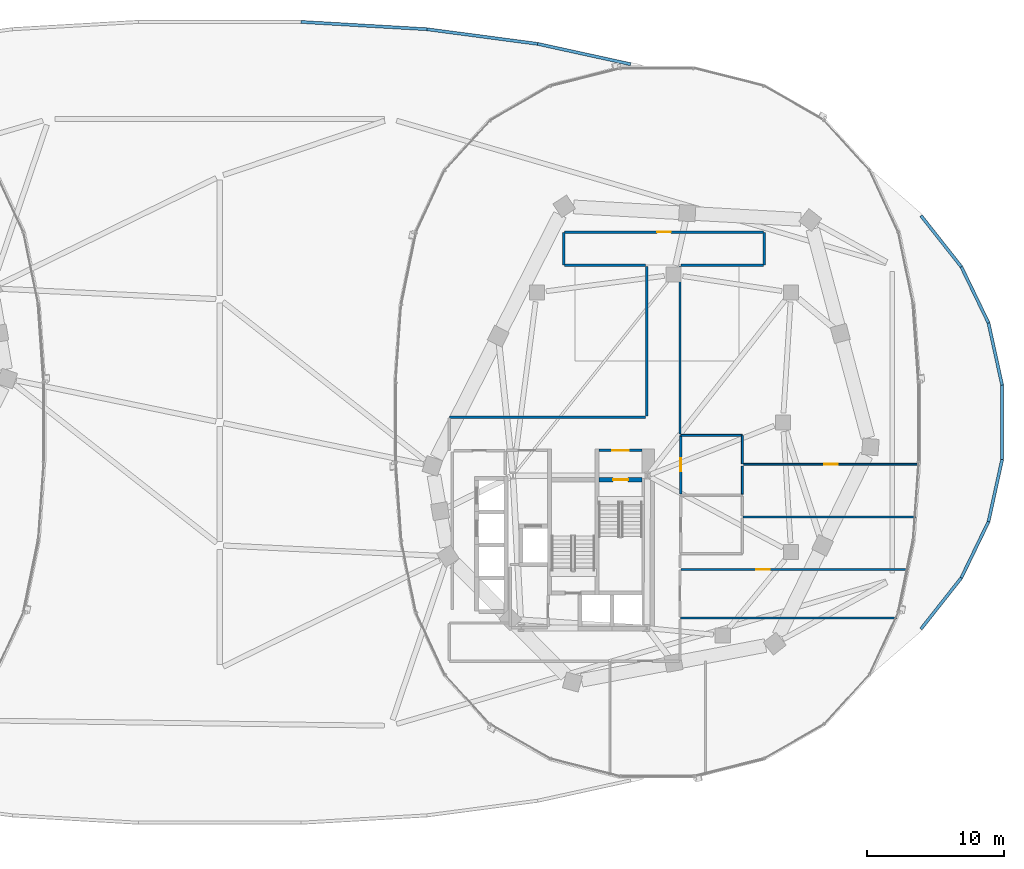
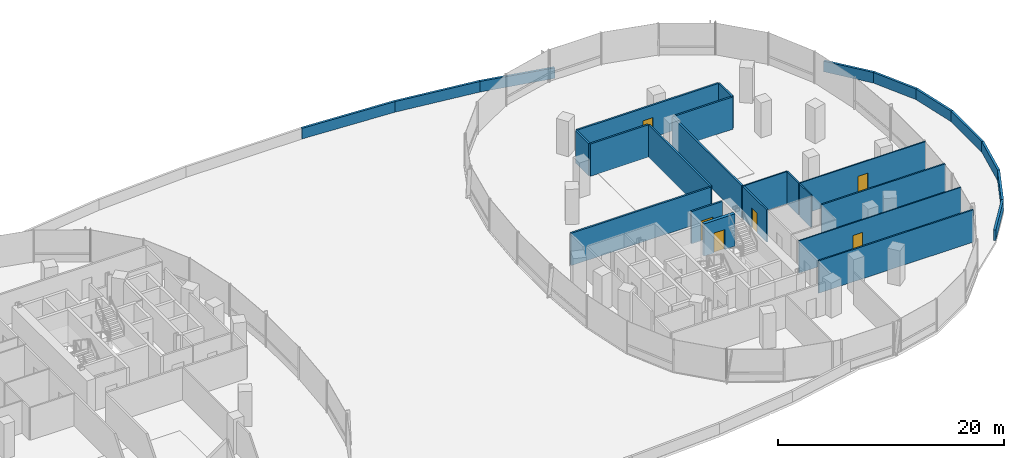
# One storey, part 21 of 28: 28 walls, 6 doors, 6 openings.
"""IFC4 building model written with IfcOpenShell, lengths in metres."""

import ifcopenshell
import ifcopenshell.guid

model = None  # the IFC model being written
_history = None  # IfcOwnerHistory: only IFC2X3 demands one
_inside = {}  # id of a spatial element -> (the spatial element, [elements in it])
_under = {}  # id of a project, library or spatial element -> (it, [spatial elements below it])
_declared = {}  # id of a project -> (the project, [libraries it declares])
_typed = {}  # id of a type object -> (the type object, [elements of that type])
_made_of = {}  # id of a material, layer set ... -> (it, [elements and type objects made of it])


def new_model(schema):
    """Start an empty IFC model of exactly this schema.

    Asked for "IFC4X3", IfcOpenShell would pick the latest addendum, in which some entities
    have other attributes; the version numbers below select the first issue.
    IFC2X3 requires an IfcOwnerHistory on every rooted entity: one is made here for all.
    """
    global model, _history
    if schema == "IFC4X3":
        model = ifcopenshell.file(schema_version=(4, 3, 0, 0))
    else:
        model = ifcopenshell.file(schema=schema)
    _inside.clear()
    _under.clear()
    _declared.clear()
    _typed.clear()
    _made_of.clear()
    _history = None
    if model.schema == "IFC2X3":
        org = make("IfcOrganization", Name="unknown")
        user = make(
            "IfcPersonAndOrganization",
            ThePerson=make("IfcPerson", FamilyName="unknown"),
            TheOrganization=org,
        )
        app = make(
            "IfcApplication",
            ApplicationDeveloper=org,
            Version="unknown",
            ApplicationFullName="unknown",
            ApplicationIdentifier="unknown",
        )
        _history = make(
            "IfcOwnerHistory",
            OwningUser=user,
            OwningApplication=app,
            ChangeAction="ADDED",
            CreationDate=0,
        )
    return model


def make(cls, **values):
    """One entity of the class cls with the attributes given. An attribute that is None is left unset."""
    return model.create_entity(
        cls, **{name: value for name, value in values.items() if value is not None}
    )


def rooted(cls, **values):
    """An entity with a GlobalId (a new one), such as an element, a storey or a relation."""
    return make(cls, GlobalId=ifcopenshell.guid.new(), OwnerHistory=_history, **values)


def si_unit(unit_type, name, prefix=None):
    """IfcSIUnit, for example si_unit("LENGTHUNIT", "METRE", prefix="MILLI")."""
    return make("IfcSIUnit", UnitType=unit_type, Prefix=prefix, Name=name)


def assignment(units):
    """IfcUnitAssignment: the units of a project."""
    return None if units is None else make("IfcUnitAssignment", Units=units)


def point(xyz):
    """IfcCartesianPoint."""
    return None if xyz is None else make("IfcCartesianPoint", Coordinates=xyz)


def direction(xyz):
    """IfcDirection."""
    return None if xyz is None else make("IfcDirection", DirectionRatios=xyz)


def frame(location, z_axis=None, x_axis=None):
    """IfcAxis2Placement3D, a coordinate frame: its origin and axes. An axis left out is left unset."""
    return make(
        "IfcAxis2Placement3D",
        Location=point(location),
        Axis=direction(z_axis),
        RefDirection=direction(x_axis),
    )


def frame_2d(location, x_axis=None):
    """IfcAxis2Placement2D, a coordinate frame in the plane: its origin and x axis."""
    return make(
        "IfcAxis2Placement2D", Location=point(location), RefDirection=direction(x_axis)
    )


def origin():
    """The frame at (0, 0, 0) with its axes left unset."""
    return frame((0.0, 0.0, 0.0))


def place(relative_to, where):
    """IfcLocalPlacement: puts the frame where relative to a parent placement (None: the world)."""
    return make(
        "IfcLocalPlacement", PlacementRelTo=relative_to, RelativePlacement=where
    )


def context(
    kind, dimensions, precision=None, world=None, true_north=None, identifier=None
):
    """IfcGeometricRepresentationContext, for example the 3D "Model" context."""
    return make(
        "IfcGeometricRepresentationContext",
        ContextIdentifier=identifier,
        ContextType=kind,
        CoordinateSpaceDimension=dimensions,
        Precision=precision,
        WorldCoordinateSystem=world,
        TrueNorth=true_north,
    )


def subcontext(parent, identifier, kind, view, scale=None):
    """IfcGeometricRepresentationSubContext, for example "Body" below "Model"."""
    return make(
        "IfcGeometricRepresentationSubContext",
        ContextIdentifier=identifier,
        ContextType=kind,
        ParentContext=parent,
        TargetScale=scale,
        TargetView=view,
    )


def project(units=None, contexts=None):
    """IfcProject with its units and contexts."""
    return rooted(
        "IfcProject",
        Name="project",
        RepresentationContexts=contexts,
        UnitsInContext=assignment(units),
    )


def spatial(cls, under=None, at=None, **own):
    """A site, building, storey or space (cls), placed at a placement, below another one or the project."""
    s = rooted(cls, ObjectPlacement=at, **own)
    if under is not None:
        _under.setdefault(under.id(), (under, []))[1].append(s)
    return s


def profile(cls, at=None, kind="AREA", **sizes):
    """A parametric profile (cls). Its sizes go by their IFC names, for example OverallWidth=200.0."""
    return make(cls, ProfileType=kind, Position=at, **sizes)


def rectangle(**sizes):
    """IfcRectangleProfileDef."""
    return profile("IfcRectangleProfileDef", **sizes)


def extrude(swept, where, along, depth):
    """IfcExtrudedAreaSolid: the profile swept, set in the frame where, extruded along a direction by depth."""
    return make(
        "IfcExtrudedAreaSolid",
        SweptArea=swept,
        Position=where,
        ExtrudedDirection=direction(along),
        Depth=depth,
    )


def shape(context_of_items, identifier, shape_type, items):
    """IfcShapeRepresentation: the items that make up one representation, for example the "Body"."""
    return make(
        "IfcShapeRepresentation",
        ContextOfItems=context_of_items,
        RepresentationIdentifier=identifier,
        RepresentationType=shape_type,
        Items=items,
    )


def material(Name=None, Category=None):
    """IfcMaterial."""
    return make("IfcMaterial", Name=Name, Category=Category)


def layer(
    of_material, thickness, ventilated=None, Name=None, Category=None, Priority=None
):
    """IfcMaterialLayer: one layer of a wall or slab, of a material (None: an air gap)."""
    return make(
        "IfcMaterialLayer",
        Material=of_material,
        LayerThickness=thickness,
        IsVentilated=ventilated,
        Name=Name,
        Category=Category,
        Priority=Priority,
    )


def layer_set(layers, Name=None):
    """IfcMaterialLayerSet."""
    return make("IfcMaterialLayerSet", MaterialLayers=layers, LayerSetName=Name)


def made_of(thing, what):
    """Note that an element or type object is made of a material, layer set ...; save() writes the relation."""
    if what is not None:
        _made_of.setdefault(what.id(), (what, []))[1].append(thing)
    return thing


def type_object(cls, material=None, **own):
    """A type object (cls), such as IfcWallType, which elements share."""
    return made_of(rooted(cls, **own), material)


def element(
    cls,
    number,
    at=None,
    inside=None,
    cuts=None,
    type_object=None,
    material=None,
    context=None,
    identifier="Body",
    shape_type=None,
    held_by="IfcProductDefinitionShape",
    body=None,
    shapes=None,
    **own,
):
    """One element of the class cls, such as IfcWall. Its Tag is "e" and its number.

    at: its placement. inside: the storey or other place that contains it. cuts: it is an
    opening in that element (IfcRelVoidsElement). A single representation is given by context,
    identifier, shape_type and body (its items); several are given by shapes. held_by: the class
    of the entity that holds the representations. save() writes the other relations.
    """
    e = rooted(cls, Tag="e%d" % number, ObjectPlacement=at, **own)
    if body is not None:
        shapes = [shape(context, identifier, shape_type, body)]
    if shapes is not None:
        e.Representation = make(held_by, Representations=shapes)
    if inside is not None:
        _inside.setdefault(inside.id(), (inside, []))[1].append(e)
    if cuts is not None:
        rooted(
            "IfcRelVoidsElement", RelatingBuildingElement=cuts, RelatedOpeningElement=e
        )
    if type_object is not None:
        _typed.setdefault(type_object.id(), (type_object, []))[1].append(e)
    return made_of(e, material)


def fill(opening, filler):
    """IfcRelFillsElement: the door or window that sits in an opening."""
    return rooted(
        "IfcRelFillsElement",
        RelatingOpeningElement=opening,
        RelatedBuildingElement=filler,
    )


def aggregate(whole, parts):
    """IfcRelAggregates: a whole, such as a stair, and the parts it consists of."""
    return rooted("IfcRelAggregates", RelatingObject=whole, RelatedObjects=parts)


def save(model, path):
    """Write the relations noted so far, then the file.

    IfcRelAggregates (storeys below a building ...), IfcRelContainedInSpatialStructure (elements
    in a storey), IfcRelDefinesByType, IfcRelAssociatesMaterial and IfcRelDeclares: one each for
    every whole, place, type object, material and project.
    """
    for whole, parts in _under.values():
        aggregate(whole, parts)
    for where, things in _inside.values():
        rooted(
            "IfcRelContainedInSpatialStructure",
            RelatedElements=things,
            RelatingStructure=where,
        )
    for kind, things in _typed.values():
        rooted("IfcRelDefinesByType", RelatedObjects=things, RelatingType=kind)
    for what, things in _made_of.values():
        rooted("IfcRelAssociatesMaterial", RelatedObjects=things, RelatingMaterial=what)
    for by, libraries in _declared.values():
        rooted("IfcRelDeclares", RelatingContext=by, RelatedDefinitions=libraries)
    model.write(path)


model = new_model("IFC4")

# Units and contexts
model_context = context("Model", 3, precision=1e-05, world=origin(), true_north=direction((0.0, 1.0)))
body_context = subcontext(model_context, "Body", "Model", "MODEL_VIEW")
ifc_project = project(units=[si_unit("LENGTHUNIT", "METRE"), si_unit("AREAUNIT", "SQUARE_METRE"), si_unit("VOLUMEUNIT", "CUBIC_METRE"), si_unit("PLANEANGLEUNIT", "RADIAN"), si_unit("MASSUNIT", "GRAM", prefix="KILO"), si_unit("THERMODYNAMICTEMPERATUREUNIT", "KELVIN"), si_unit("POWERUNIT", "WATT")], contexts=[model_context])

# Site, building, storey
site_placement = place(None, origin())
site = spatial("IfcSite", under=ifc_project, at=site_placement, CompositionType="ELEMENT")
building_placement = place(site_placement, origin())
building = spatial("IfcBuilding", under=site, at=building_placement, Name="Cundina Bronze Exchange", CompositionType="ELEMENT")
storey_placement = place(building_placement, frame((0.0, 0.0, 24.0)))
storey = spatial("IfcBuildingStorey", under=building, at=storey_placement, Name="L05", CompositionType="ELEMENT", Elevation=24.0)

# Wall, opening, door
ifc_material_1 = material(Name="Gypsum Fireboard Partition EI120")
ifc_layer_1 = layer(ifc_material_1, 0.179931640625, Name="Gypsum Fireboard Partition EI120")
ifc_layer_set_1 = layer_set([ifc_layer_1], Name="Gypsum Fireboard Partition EI120")
wall_type_1 = type_object("IfcWallType", Name="WL-COR-180", PredefinedType="PARTITIONING", material=ifc_layer_set_1)
wall_1_placement = place(storey_placement, frame((27.739990234375, -2.06005859375, 0.0), z_axis=(0.0, 0.0, 1.0), x_axis=(1.0, 0.0, 0.0)))
wall_1 = element("IfcWall", 1, at=wall_1_placement, inside=storey, type_object=wall_type_1, Name="L05 E Stair Vestibule Exit Wall", PredefinedType="PARTITIONING", context=body_context, shape_type="SweptSolid", body=[
    extrude(rectangle(XDim=3.159912109375, YDim=0.179931640625, at=frame_2d((1.580078125, 0.0))), origin(), (0.0, 0.0, 1.0), 3.5),
])
opening_1_placement = place(wall_1_placement, frame((0.97998046875, 0.0, 0.0)))
opening_1 = element("IfcOpeningElement", 2, at=opening_1_placement, cuts=wall_1, Name="Opening DF-01", PredefinedType="OPENING", context=body_context, shape_type="SweptSolid", body=[
    extrude(rectangle(XDim=1.199951171875, YDim=2.14990234375, at=frame_2d((0.60009765625, 1.074951171875))), frame((0.0, 0.099853515625, 0.0), z_axis=(0.0, -1.0, 0.0), x_axis=(1.0, 0.0, 0.0)), (0.0, 0.0, 1.0), 0.199951171875),
])
ifc_material_2 = material(Name="Steel ASTM A36 Painted", Category="steel")
door_type_1 = type_object("IfcDoorType", Name="DR-FFL-1200", OperationType="NOTDEFINED", PredefinedType="DOOR", material=ifc_material_2)
door_1_placement = place(opening_1_placement, origin())
door_1 = element("IfcDoor", 3, at=door_1_placement, inside=storey, type_object=door_type_1, Name="L05 E Stair Vestibule Door", OperationType="SINGLE_SWING_RIGHT", OverallHeight=2.14990234375, OverallWidth=1.199951171875, PredefinedType="DOOR", context=body_context, shape_type="SweptSolid", body=[
    extrude(rectangle(XDim=1.199951171875, YDim=2.14990234375, at=frame_2d((0.60009765625, 1.074951171875))), frame((0.0, 0.02490234375, 0.0), z_axis=(0.0, -1.0, 0.0), x_axis=(1.0, 0.0, 0.0)), (0.0, 0.0, 1.0), 0.050048828125),
])
fill(opening_1, door_1)

wall_2_placement = place(storey_placement, frame((33.719970703125, -5.22998046875, 0.0), z_axis=(0.0, 0.0, 1.0), x_axis=(0.0, 1.0, 0.0)))
wall_2 = element("IfcWall", 4, at=wall_2_placement, inside=storey, type_object=wall_type_1, Name="L05 Interior Partition 051", PredefinedType="PARTITIONING", context=body_context, shape_type="SweptSolid", body=[
    extrude(rectangle(XDim=4.260009765625, YDim=0.179931640625, at=frame_2d((2.1298828125, 0.0))), origin(), (0.0, 0.0, 1.0), 3.5),
])
opening_2_placement = place(wall_2_placement, frame((1.655029296875, 0.0, 0.0)))
opening_2 = element("IfcOpeningElement", 5, at=opening_2_placement, cuts=wall_2, Name="Opening DW-01", PredefinedType="OPENING", context=body_context, shape_type="SweptSolid", body=[
    extrude(rectangle(XDim=0.949951171875, YDim=2.10009765625, at=frame_2d((0.47509765625, 1.050048828125))), frame((0.0, 0.099853515625, 0.0), z_axis=(0.0, -1.0, 0.0), x_axis=(1.0, 0.0, 0.0)), (0.0, 0.0, 1.0), 0.199951171875),
])
ifc_material_3 = material(Name="Solid Andean Oak Timber Grade A", Category="wood")
door_type_2 = type_object("IfcDoorType", Name="DR-WC-950", OperationType="NOTDEFINED", PredefinedType="DOOR", material=ifc_material_3)
door_2_placement = place(opening_2_placement, origin())
door_2 = element("IfcDoor", 6, at=door_2_placement, inside=storey, type_object=door_type_2, Name="L05 Interior Door 051", OperationType="SINGLE_SWING_RIGHT", OverallHeight=2.10009765625, OverallWidth=0.949951171875, PredefinedType="DOOR", context=body_context, shape_type="SweptSolid", body=[
    extrude(rectangle(XDim=0.949951171875, YDim=2.10009765625, at=frame_2d((0.47509765625, 1.050048828125))), frame((0.0, 0.02490234375, 0.0), z_axis=(0.0, -1.0, 0.0), x_axis=(1.0, 0.0, 0.0)), (0.0, 0.0, 1.0), 0.050048828125),
])
fill(opening_2, door_2)

wall_3_placement = place(storey_placement, frame((39.778564453125, 13.919921875, 0.0), z_axis=(0.0, 0.0, 1.0), x_axis=(-1.0, 0.0, 0.0)))
wall_3 = element("IfcWall", 7, at=wall_3_placement, inside=storey, type_object=wall_type_1, Name="L05 Interior Partition 061", PredefinedType="PARTITIONING", context=body_context, shape_type="SweptSolid", body=[
    extrude(rectangle(XDim=14.55712890625, YDim=0.179931640625, at=frame_2d((7.278564453125, 0.0))), origin(), (0.0, 0.0, 1.0), 3.5),
])
opening_3_placement = place(wall_3_placement, frame((6.778564453125, 0.0, 0.0)))
opening_3 = element("IfcOpeningElement", 8, at=opening_3_placement, cuts=wall_3, Name="Opening DO-01", PredefinedType="OPENING", context=body_context, shape_type="SweptSolid", body=[
    extrude(rectangle(XDim=1.0, YDim=2.14990234375, at=frame_2d((0.5, 1.074951171875))), frame((0.0, 0.099853515625, 0.0), z_axis=(0.0, -1.0, 0.0), x_axis=(1.0, 0.0, 0.0)), (0.0, 0.0, 1.0), 0.199951171875),
])
door_type_3 = type_object("IfcDoorType", Name="DR-OFF-1000", OperationType="NOTDEFINED", PredefinedType="DOOR", material=ifc_material_3)
door_3_placement = place(opening_3_placement, origin())
door_3 = element("IfcDoor", 9, at=door_3_placement, inside=storey, type_object=door_type_3, Name="L05 Interior Door 061", OperationType="SINGLE_SWING_LEFT", OverallHeight=2.14990234375, OverallWidth=1.0, PredefinedType="DOOR", context=body_context, shape_type="SweptSolid", body=[
    extrude(rectangle(XDim=1.0, YDim=2.14990234375, at=frame_2d((0.5, 1.074951171875))), frame((0.0, 0.02490234375, 0.0), z_axis=(0.0, -1.0, 0.0), x_axis=(1.0, 0.0, 0.0)), (0.0, 0.0, 1.0), 0.050048828125),
])
fill(opening_3, door_3)

# Walls
wall_4_placement = place(storey_placement, frame((31.14990234375, 0.3701171875, 0.0), z_axis=(0.0, 0.0, 1.0), x_axis=(-1.0, 0.0, 0.0)))
element("IfcWall", 10, at=wall_4_placement, inside=storey, type_object=wall_type_1, Name="L05 Interior Partition 062", PredefinedType="PARTITIONING", context=body_context, shape_type="SweptSolid", body=[
    extrude(rectangle(XDim=14.328369140625, YDim=0.179931640625, at=frame_2d((7.1640625, 0.0))), origin(), (0.0, 0.0, 1.0), 3.5),
])
wall_5_placement = place(storey_placement, frame((33.669921875, -0.858642578125, 0.0), z_axis=(0.0, 0.0, 1.0), x_axis=(0.0, 1.0, 0.0)))
element("IfcWall", 11, at=wall_5_placement, inside=storey, type_object=wall_type_1, Name="L05 Interior Partition 063", PredefinedType="PARTITIONING", context=body_context, shape_type="SweptSolid", body=[
    extrude(rectangle(XDim=12.258544921875, YDim=0.179931640625, at=frame_2d((6.12939453125, 0.0))), origin(), (0.0, 0.0, 1.0), 3.5),
])
wall_6_placement = place(storey_placement, frame((31.22998046875, 11.39990234375, 0.0), z_axis=(0.0, 0.0, 1.0), x_axis=(0.0, -1.0, 0.0)))
element("IfcWall", 12, at=wall_6_placement, inside=storey, type_object=wall_type_1, Name="L05 Interior Partition 065", PredefinedType="PARTITIONING", context=body_context, shape_type="SweptSolid", body=[
    extrude(rectangle(XDim=10.949951171875, YDim=0.179931640625, at=frame_2d((5.47509765625, 0.0))), origin(), (0.0, 0.0, 1.0), 3.5),
])
wall_7_placement = place(storey_placement, frame((33.75, 11.47998046875, 0.0), z_axis=(0.0, 0.0, 1.0), x_axis=(1.0, 0.0, 0.0)))
element("IfcWall", 13, at=wall_7_placement, inside=storey, type_object=wall_type_1, Name="L05 Interior Partition 066", PredefinedType="PARTITIONING", context=body_context, shape_type="SweptSolid", body=[
    extrude(rectangle(XDim=6.028564453125, YDim=0.179931640625, at=frame_2d((3.01416015625, 0.0))), origin(), (0.0, 0.0, 1.0), 3.5),
])
wall_8_placement = place(storey_placement, frame((25.221435546875, 11.47998046875, 0.0), z_axis=(0.0, 0.0, 1.0), x_axis=(1.0, 0.0, 0.0)))
element("IfcWall", 14, at=wall_8_placement, inside=storey, type_object=wall_type_1, Name="L05 Interior Partition 067", PredefinedType="PARTITIONING", context=body_context, shape_type="SweptSolid", body=[
    extrude(rectangle(XDim=5.928466796875, YDim=0.179931640625, at=frame_2d((2.96435546875, 0.0))), origin(), (0.0, 0.0, 1.0), 3.5),
])
for number, where, z_axis, x_axis, name in (
    (15, (39.820068359375, 11.521484375, 0.0), (0.0, 0.0, 1.0), (0.0, 1.0, 0.0), "L05 Interior Partition 071"),
    (16, (25.179931640625, 13.87841796875, 0.0), (0.0, 0.0, 1.0), (0.0, -1.0, 0.0), "L05 Interior Partition 072"),
):
    element("IfcWall", number, at=place(storey_placement, frame(where, z_axis=z_axis, x_axis=x_axis)), inside=storey, type_object=wall_type_1, Name=name, PredefinedType="PARTITIONING", context=body_context, shape_type="SweptSolid", body=[
        extrude(rectangle(XDim=2.35693359375, YDim=0.179931640625, at=frame_2d((1.178466796875, 0.0))), origin(), (0.0, 0.0, 1.0), 3.5),
    ])

# Wall, opening, door
ifc_material_4 = material(Name="Gypsum Acoustic Partition EI60")
ifc_layer_2 = layer(ifc_material_4, 0.125, Name="Gypsum Acoustic Partition EI60")
ifc_layer_set_2 = layer_set([ifc_layer_2], Name="Gypsum Acoustic Partition EI60")
wall_type_2 = type_object("IfcWallType", Name="WL-OFF-125", PredefinedType="PARTITIONING", material=ifc_layer_set_2)
wall_9_placement = place(storey_placement, frame((50.3427734375, -10.77001953125, 0.0), z_axis=(0.0, 0.0, 1.0), x_axis=(-1.0, 0.0, 0.0)))
wall_9 = element("IfcWall", 17, at=wall_9_placement, inside=storey, type_object=wall_type_2, Name="L05 Interior Partition 073", PredefinedType="PARTITIONING", context=body_context, shape_type="SweptSolid", body=[
    extrude(rectangle(XDim=16.5927734375, YDim=0.125, at=frame_2d((8.29638671875, 0.0))), origin(), (0.0, 0.0, 1.0), 3.5),
])
opening_4_placement = place(wall_9_placement, frame((10.099365234375, 0.0, 0.0)))
opening_4 = element("IfcOpeningElement", 18, at=opening_4_placement, cuts=wall_9, Name="Opening DO-01", PredefinedType="OPENING", context=body_context, shape_type="SweptSolid", body=[
    extrude(rectangle(XDim=1.0, YDim=2.14990234375, at=frame_2d((0.5, 1.074951171875))), frame((0.0, 0.072509765625, 0.0), z_axis=(0.0, -1.0, 0.0), x_axis=(1.0, 0.0, 0.0)), (0.0, 0.0, 1.0), 0.14501953125),
])
door_4_placement = place(opening_4_placement, origin())
door_4 = element("IfcDoor", 19, at=door_4_placement, inside=storey, type_object=door_type_3, Name="L05 Interior Door 073", OperationType="SINGLE_SWING_RIGHT", OverallHeight=2.14990234375, OverallWidth=1.0, PredefinedType="DOOR", context=body_context, shape_type="SweptSolid", body=[
    extrude(rectangle(XDim=1.0, YDim=2.14990234375, at=frame_2d((0.5, 1.074951171875))), frame((0.0, 0.02490234375, 0.0), z_axis=(0.0, -1.0, 0.0), x_axis=(1.0, 0.0, 0.0)), (0.0, 0.0, 1.0), 0.050048828125),
])
fill(opening_4, door_4)

wall_10_placement = place(storey_placement, frame((38.320068359375, -3.070068359375, 0.0), z_axis=(0.0, 0.0, 1.0), x_axis=(1.0, 0.0, 0.0)))
wall_10 = element("IfcWall", 20, at=wall_10_placement, inside=storey, type_object=wall_type_2, Name="L05 Interior Partition 074", PredefinedType="PARTITIONING", context=body_context, shape_type="SweptSolid", body=[
    extrude(rectangle(XDim=12.819580078125, YDim=0.125, at=frame_2d((6.40966796875, 0.0))), origin(), (0.0, 0.0, 1.0), 3.5),
])
opening_5_placement = place(wall_10_placement, frame((5.909912109375, 0.0, 0.0)))
opening_5 = element("IfcOpeningElement", 21, at=opening_5_placement, cuts=wall_10, Name="Opening DO-01", PredefinedType="OPENING", context=body_context, shape_type="SweptSolid", body=[
    extrude(rectangle(XDim=1.0, YDim=2.14990234375, at=frame_2d((0.5, 1.074951171875))), frame((0.0, 0.072509765625, 0.0), z_axis=(0.0, -1.0, 0.0), x_axis=(1.0, 0.0, 0.0)), (0.0, 0.0, 1.0), 0.14501953125),
])
door_5_placement = place(opening_5_placement, origin())
door_5 = element("IfcDoor", 22, at=door_5_placement, inside=storey, type_object=door_type_3, Name="L05 Interior Door 074", OperationType="SINGLE_SWING_LEFT", OverallHeight=2.14990234375, OverallWidth=1.0, PredefinedType="DOOR", context=body_context, shape_type="SweptSolid", body=[
    extrude(rectangle(XDim=1.0, YDim=2.14990234375, at=frame_2d((0.5, 1.074951171875))), frame((0.0, 0.02490234375, 0.0), z_axis=(0.0, -1.0, 0.0), x_axis=(1.0, 0.0, 0.0)), (0.0, 0.0, 1.0), 0.050048828125),
])
fill(opening_5, door_5)

# Walls
ifc_material_5 = material(Name="Precast Concrete C45/55", Category="concrete")
ifc_layer_3 = layer(ifc_material_5, 0.219970703125, Name="Precast Concrete C45/55", Category="concrete")
ifc_layer_set_3 = layer_set([ifc_layer_3], Name="Precast Concrete C45/55")
wall_type_3 = type_object("IfcWallType", Name="WL-PAR-220", PredefinedType="PARAPET", material=ifc_layer_set_3)
wall_11_placement = place(storey_placement, frame((5.931884765625, 29.2919921875, 0.0), z_axis=(0.0, 0.0, 1.0), x_axis=(0.998304091339, -0.058214613415, 0.0)))
element("IfcWall", 23, at=wall_11_placement, inside=storey, type_object=wall_type_3, Name="L05 Central Podium Roof Parapet 1-05", PredefinedType="PARAPET", context=body_context, shape_type="SweptSolid", body=[
    extrude(rectangle(XDim=9.25146484375, YDim=0.219970703125, at=frame_2d((4.625732421875, 0.0))), origin(), (0.0, 0.0, 1.0), 1.14990234375),
])
wall_12_placement = place(storey_placement, frame((15.167724609375, 28.75341796875, 0.0), z_axis=(0.0, 0.0, 1.0), x_axis=(0.99135963019, -0.131171962055, 0.0)))
element("IfcWall", 24, at=wall_12_placement, inside=storey, type_object=wall_type_3, Name="L05 Central Podium Roof Parapet 1-06", PredefinedType="PARAPET", context=body_context, shape_type="SweptSolid", body=[
    extrude(rectangle(XDim=8.15966796875, YDim=0.219970703125, at=frame_2d((4.079833984375, 0.0))), origin(), (0.0, 0.0, 1.0), 1.14990234375),
])
wall_13_placement = place(storey_placement, frame((23.2568359375, 27.68310546875, 0.0), z_axis=(0.0, 0.0, 1.0), x_axis=(0.976903447966, -0.213681195598, 0.0)))
element("IfcWall", 25, at=wall_13_placement, inside=storey, type_object=wall_type_3, Name="L05 Central Podium Roof Parapet 1-07", PredefinedType="PARAPET", context=body_context, shape_type="SweptSolid", body=[
    extrude(rectangle(XDim=6.9638671875, YDim=0.219970703125, at=frame_2d((3.48193359375, 0.0))), origin(), (0.0, 0.0, 1.0), 1.14990234375),
])
wall_14_placement = place(storey_placement, frame((51.29541015625, 15.119873046875, 0.0), z_axis=(0.0, 0.0, 1.0), x_axis=(0.619435057485, -0.785047902716, 0.0)))
element("IfcWall", 26, at=wall_14_placement, inside=storey, type_object=wall_type_3, Name="L05 Central Podium Roof Parapet 2-01", PredefinedType="PARAPET", context=body_context, shape_type="SweptSolid", body=[
    extrude(rectangle(XDim=4.767333984375, YDim=0.219970703125, at=frame_2d((2.3837890625, 0.0))), origin(), (0.0, 0.0, 1.0), 1.14990234375),
])
wall_15_placement = place(storey_placement, frame((54.24853515625, 11.377197265625, 0.0), z_axis=(0.0, 0.0, 1.0), x_axis=(0.4358003268, -0.900043374044, 0.0)))
element("IfcWall", 27, at=wall_15_placement, inside=storey, type_object=wall_type_3, Name="L05 Central Podium Roof Parapet 2-02", PredefinedType="PARAPET", context=body_context, shape_type="SweptSolid", body=[
    extrude(rectangle(XDim=4.557861328125, YDim=0.219970703125, at=frame_2d((2.27880859375, 0.0))), origin(), (0.0, 0.0, 1.0), 1.14990234375),
])
wall_16_placement = place(storey_placement, frame((56.23486328125, 7.27490234375, 0.0), z_axis=(0.0, 0.0, 1.0), x_axis=(0.214454854695, -0.976733901991, 0.0)))
element("IfcWall", 28, at=wall_16_placement, inside=storey, type_object=wall_type_3, Name="L05 Central Podium Roof Parapet 2-03", PredefinedType="PARAPET", context=body_context, shape_type="SweptSolid", body=[
    extrude(rectangle(XDim=4.658447265625, YDim=0.219970703125, at=frame_2d((2.3291015625, 0.0))), origin(), (0.0, 0.0, 1.0), 1.14990234375),
])
wall_17_placement = place(storey_placement, frame((57.23388671875, 2.724853515625, 0.0), z_axis=(0.0, 0.0, 1.0), x_axis=(0.0, -1.0, 0.0)))
element("IfcWall", 29, at=wall_17_placement, inside=storey, type_object=wall_type_3, Name="L05 Central Podium Roof Parapet 2-04", PredefinedType="PARAPET", context=body_context, shape_type="SweptSolid", body=[
    extrude(rectangle(XDim=5.44970703125, YDim=0.219970703125, at=frame_2d((2.724853515625, 0.0))), origin(), (0.0, 0.0, 1.0), 1.14990234375),
])
wall_18_placement = place(storey_placement, frame((57.23388671875, -2.724853515625, 0.0), z_axis=(0.0, 0.0, 1.0), x_axis=(-0.214454854695, -0.976733901991, 0.0)))
element("IfcWall", 30, at=wall_18_placement, inside=storey, type_object=wall_type_3, Name="L05 Central Podium Roof Parapet 2-05", PredefinedType="PARAPET", context=body_context, shape_type="SweptSolid", body=[
    extrude(rectangle(XDim=4.658447265625, YDim=0.219970703125, at=frame_2d((2.3291015625, 0.0))), origin(), (0.0, 0.0, 1.0), 1.14990234375),
])
wall_19_placement = place(storey_placement, frame((56.23486328125, -7.27490234375, 0.0), z_axis=(0.0, 0.0, 1.0), x_axis=(-0.4358003268, -0.900043374044, 0.0)))
element("IfcWall", 31, at=wall_19_placement, inside=storey, type_object=wall_type_3, Name="L05 Central Podium Roof Parapet 2-06", PredefinedType="PARAPET", context=body_context, shape_type="SweptSolid", body=[
    extrude(rectangle(XDim=4.557861328125, YDim=0.219970703125, at=frame_2d((2.27880859375, 0.0))), origin(), (0.0, 0.0, 1.0), 1.14990234375),
])
wall_20_placement = place(storey_placement, frame((54.24853515625, -11.377197265625, 0.0), z_axis=(0.0, 0.0, 1.0), x_axis=(-0.619435057485, -0.785047902716, 0.0)))
element("IfcWall", 32, at=wall_20_placement, inside=storey, type_object=wall_type_3, Name="L05 Central Podium Roof Parapet 2-07", PredefinedType="PARAPET", context=body_context, shape_type="SweptSolid", body=[
    extrude(rectangle(XDim=4.767333984375, YDim=0.219970703125, at=frame_2d((2.3837890625, 0.0))), origin(), (0.0, 0.0, 1.0), 1.14990234375),
])

# Wall, opening, door
ifc_material_6 = material(Name="Concrete C50/60", Category="concrete")
ifc_layer_4 = layer(ifc_material_6, 0.300048828125, Name="Concrete C50/60", Category="concrete")
ifc_layer_set_4 = layer_set([ifc_layer_4], Name="Concrete C50/60")
wall_type_4 = type_object("IfcWallType", Name="WL-SHFT-300", PredefinedType="SHEAR", material=ifc_layer_set_4)
wall_21_placement = place(storey_placement, frame((27.739990234375, -4.199951171875, 0.0), z_axis=(0.0, 0.0, 1.0), x_axis=(1.0, 0.0, 0.0)))
wall_21 = element("IfcWall", 33, at=wall_21_placement, inside=storey, type_object=wall_type_4, Name="L05 Stair E1 Landing Wall", PredefinedType="SHEAR", context=body_context, shape_type="SweptSolid", body=[
    extrude(rectangle(XDim=3.159912109375, YDim=0.300048828125, at=frame_2d((1.580078125, 0.0))), origin(), (0.0, 0.0, 1.0), 3.5),
])
opening_6_placement = place(wall_21_placement, frame((1.030029296875, 0.0, 0.0)))
opening_6 = element("IfcOpeningElement", 34, at=opening_6_placement, cuts=wall_21, Name="Opening DS-01", PredefinedType="OPENING", context=body_context, shape_type="SweptSolid", body=[
    extrude(rectangle(XDim=1.10009765625, YDim=2.14990234375, at=frame_2d((0.550048828125, 1.074951171875))), frame((0.0, 0.159912109375, 0.0), z_axis=(0.0, -1.0, 0.0), x_axis=(1.0, 0.0, 0.0)), (0.0, 0.0, 1.0), 0.320068359375),
])
door_type_4 = type_object("IfcDoorType", Name="DR-STR-1100", OperationType="NOTDEFINED", PredefinedType="DOOR", material=ifc_material_2)
door_6_placement = place(opening_6_placement, origin())
door_6 = element("IfcDoor", 35, at=door_6_placement, inside=storey, type_object=door_type_4, Name="L05 Smokeproof Stair E1 Door", OperationType="SINGLE_SWING_LEFT", OverallHeight=2.14990234375, OverallWidth=1.10009765625, PredefinedType="DOOR", context=body_context, shape_type="SweptSolid", body=[
    extrude(rectangle(XDim=1.10009765625, YDim=2.14990234375, at=frame_2d((0.550048828125, 1.074951171875))), frame((0.0, 0.02490234375, 0.0), z_axis=(0.0, -1.0, 0.0), x_axis=(1.0, 0.0, 0.0)), (0.0, 0.0, 1.0), 0.050048828125),
])
fill(opening_6, door_6)

# Walls
ifc_layer_5 = layer(ifc_material_4, 0.14990234375, Name="Gypsum Acoustic Partition EI60")
ifc_layer_set_5 = layer_set([ifc_layer_5], Name="Gypsum Acoustic Partition EI60")
wall_type_5 = type_object("IfcWallType", Name="WL-TEN-150", PredefinedType="PARTITIONING", material=ifc_layer_set_5)
wall_22_placement = place(storey_placement, frame((38.27001953125, -6.919921875, 0.0), z_axis=(0.0, 0.0, 1.0), x_axis=(1.0, 0.0, 0.0)))
element("IfcWall", 36, at=wall_22_placement, inside=storey, type_object=wall_type_5, Name="L05 Interior Partition 053", PredefinedType="PARTITIONING", context=body_context, shape_type="SweptSolid", body=[
    extrude(rectangle(XDim=12.656982421875, YDim=0.14990234375, at=frame_2d((6.32861328125, 0.0))), origin(), (0.0, 0.0, 1.0), 3.5),
])
wall_23_placement = place(storey_placement, frame((33.699951171875, -14.320068359375, 0.0), z_axis=(0.0, 0.0, 1.0), x_axis=(1.0, 0.0, 0.0)))
element("IfcWall", 37, at=wall_23_placement, inside=storey, type_object=wall_type_5, Name="L05 Interior Partition 054", PredefinedType="PARTITIONING", context=body_context, shape_type="SweptSolid", body=[
    extrude(rectangle(XDim=15.838134765625, YDim=0.14990234375, at=frame_2d((7.9189453125, 0.0))), origin(), (0.0, 0.0, 1.0), 3.5),
])
ifc_material_7 = material(Name="Moisture-Resistant Masonry Block Grade M15", Category="masonry")
ifc_layer_6 = layer(ifc_material_7, 0.139892578125, Name="Moisture-Resistant Masonry Block Grade M15", Category="masonry")
ifc_layer_set_6 = layer_set([ifc_layer_6], Name="Moisture-Resistant Masonry Block Grade M15")
wall_type_6 = type_object("IfcWallType", Name="WL-WET-140", PredefinedType="PARTITIONING", material=ifc_layer_set_6)
wall_24_placement = place(storey_placement, frame((38.239990234375, -5.2451171875, 0.0), z_axis=(0.0, 0.0, 1.0), x_axis=(0.0, 1.0, 0.0)))
element("IfcWall", 38, at=wall_24_placement, inside=storey, type_object=wall_type_6, Name="L05 Interior Partition 046", PredefinedType="PARTITIONING", context=body_context, shape_type="SweptSolid", body=[
    extrude(rectangle(XDim=2.0400390625, YDim=0.139892578125, at=frame_2d((1.02001953125, 0.0))), origin(), (0.0, 0.0, 1.0), 3.5),
])
wall_25_placement = place(storey_placement, frame((38.239990234375, -3.034912109375, 0.0), z_axis=(0.0, 0.0, 1.0), x_axis=(0.0, 1.0, 0.0)))
element("IfcWall", 39, at=wall_25_placement, inside=storey, type_object=wall_type_6, Name="L05 Interior Partition 047", PredefinedType="PARTITIONING", context=body_context, shape_type="SweptSolid", body=[
    extrude(rectangle(XDim=2.06494140625, YDim=0.139892578125, at=frame_2d((1.032470703125, 0.0))), origin(), (0.0, 0.0, 1.0), 3.5),
])
wall_26_placement = place(storey_placement, frame((33.739990234375, -0.949951171875, 0.0), z_axis=(0.0, 0.0, 1.0), x_axis=(1.0, 0.0, 0.0)))
element("IfcWall", 40, at=wall_26_placement, inside=storey, type_object=wall_type_6, Name="L05 Interior Partition 048", PredefinedType="PARTITIONING", context=body_context, shape_type="SweptSolid", body=[
    extrude(rectangle(XDim=4.47998046875, YDim=0.139892578125, at=frame_2d((2.239990234375, 0.0))), origin(), (0.0, 0.0, 1.0), 3.5),
])

save(model, "model.ifc")
